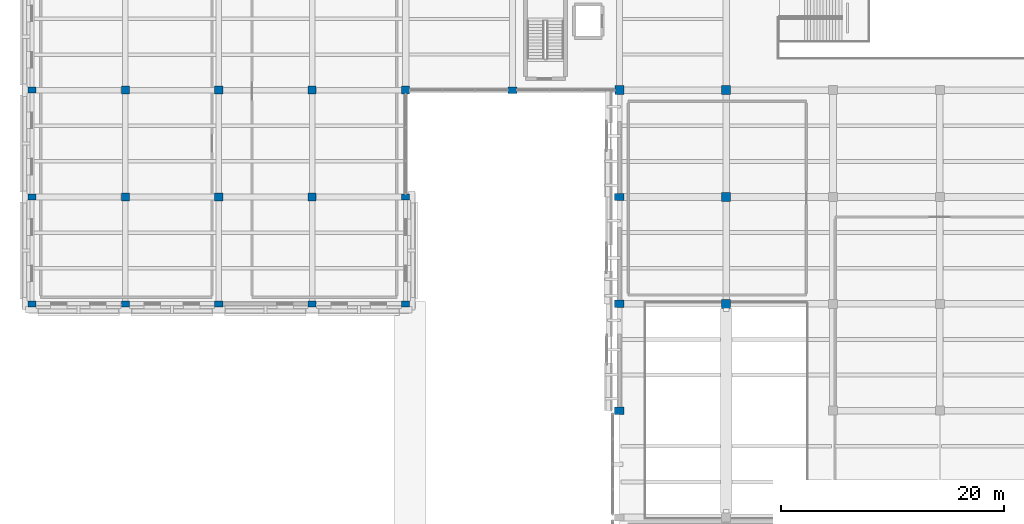
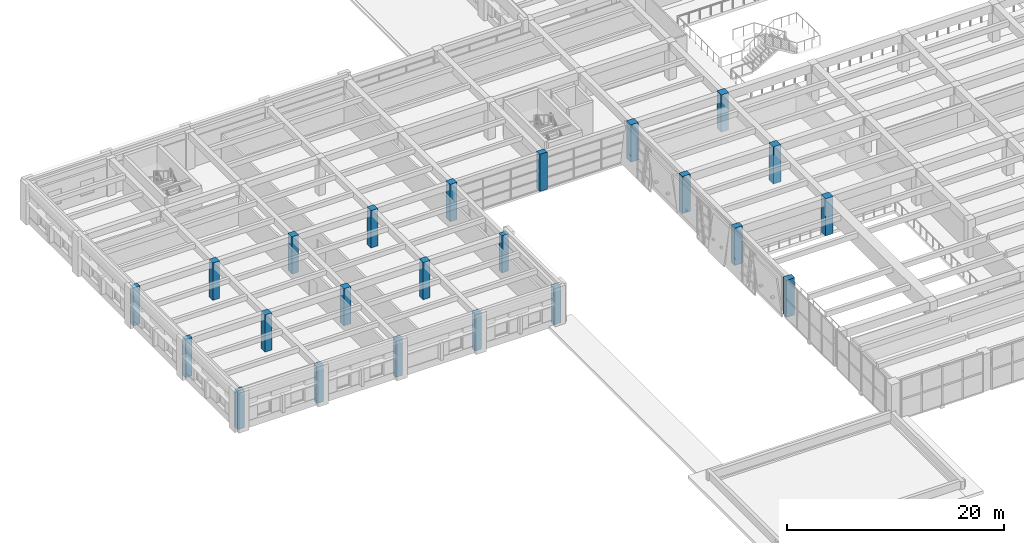
# One storey, part 2 of 49: 23 columns.
"""IFC4 building model written with IfcOpenShell, lengths in metres."""

from ifc_helpers import new_model, si_unit, direction, frame, origin, origin_2d, place, context, subcontext, project, spatial, rectangle, extrude, material, material_profile, profile_set, type_object, element, save


model = new_model("IFC4")

# Units and contexts
model_context = context("Model", 3, precision=1e-05, world=origin(), true_north=direction((0.0, 1.0)))
body_context = subcontext(model_context, "Body", "Model", "MODEL_VIEW")
ifc_project = project(units=[si_unit("LENGTHUNIT", "METRE"), si_unit("AREAUNIT", "SQUARE_METRE"), si_unit("VOLUMEUNIT", "CUBIC_METRE"), si_unit("PLANEANGLEUNIT", "RADIAN"), si_unit("MASSUNIT", "GRAM", prefix="KILO")], contexts=[model_context])

# Site, building, storey
site_placement = place(None, origin())
site = spatial("IfcSite", under=ifc_project, at=site_placement, CompositionType="ELEMENT")
building_placement = place(site_placement, origin())
building = spatial("IfcBuilding", under=site, at=building_placement, Name="Bempovik Park Faculty of Sciences", CompositionType="ELEMENT")
storey_placement = place(building_placement, frame((0.0, 0.0, 5.39990234375)))
storey = spatial("IfcBuildingStorey", under=building, at=storey_placement, Name="L01", CompositionType="ELEMENT", Elevation=5.39990234375)

# Columns
ifc_material = material(Name="Concrete C40/50", Category="concrete")
ifc_material_profile_1 = material_profile(ifc_material, rectangle(XDim=0.719970703125, YDim=0.5400390625, at=origin_2d()), Name="RC 720x540")
ifc_profile_set_1 = profile_set([ifc_material_profile_1], Name="Concrete C40/50")
column_type_1 = type_object("IfcColumnType", Name="C-18 RC 720x540", PredefinedType="COLUMN", material=ifc_profile_set_1)
for number, where, z_axis, x_axis, name in (
    (1, (7.199951171875, 48.60009765625, 0.0), (0.0, 0.0, 1.0), (1.0, 0.0, 0.0), "L01 Structural Column (7.2,48.6)"),
    (2, (7.199951171875, 58.199951171875, 0.0), (0.0, 0.0, 1.0), (1.0, 0.0, 0.0), "L01 Structural Column (7.2,58.2)"),
    (3, (7.199951171875, 67.800048828125, 0.0), (0.0, 0.0, 1.0), (1.0, 0.0, 0.0), "L01 Structural Column (7.2,67.8)"),
):
    element("IfcColumn", number, at=place(storey_placement, frame(where, z_axis=z_axis, x_axis=x_axis)), inside=storey, type_object=column_type_1, Name=name, PredefinedType="COLUMN", context=body_context, shape_type="SweptSolid", body=[
        extrude(rectangle(XDim=0.719970703125, YDim=0.5400390625, at=origin_2d()), origin(), (0.0, 0.0, 1.0), 4.280029296875),
    ])
for number, where, z_axis, x_axis, name in (
    (4, (15.60009765625, 48.60009765625, 0.0), (0.0, 0.0, 1.0), (1.0, 0.0, 0.0), "L01 Structural Column (15.6,48.6)"),
    (5, (24.0, 48.60009765625, 0.0), (0.0, 0.0, 1.0), (1.0, 0.0, 0.0), "L01 Structural Column (24.0,48.6)"),
    (6, (32.39990234375, 48.60009765625, 0.0), (0.0, 0.0, 1.0), (1.0, 0.0, 0.0), "L01 Structural Column (32.4,48.6)"),
    (7, (40.800048828125, 48.60009765625, 0.0), (0.0, 0.0, 1.0), (1.0, 0.0, 0.0), "L01 Structural Column (40.8,48.6)"),
    (8, (40.800048828125, 58.199951171875, 0.0), (0.0, 0.0, 1.0), (1.0, 0.0, 0.0), "L01 Structural Column (40.8,58.2)"),
):
    element("IfcColumn", number, at=place(storey_placement, frame(where, z_axis=z_axis, x_axis=x_axis)), inside=storey, type_object=column_type_1, Name=name, PredefinedType="COLUMN", context=body_context, shape_type="SweptSolid", body=[
        extrude(rectangle(XDim=0.719970703125, YDim=0.5400390625, at=origin_2d()), origin(), (0.0, 0.0, 1.0), 4.18017578125),
    ])
ifc_material_profile_2 = material_profile(ifc_material, rectangle(XDim=0.719970703125, YDim=0.719970703125, at=origin_2d()), Name="RC 720x720")
ifc_profile_set_2 = profile_set([ifc_material_profile_2], Name="Concrete C40/50")
column_type_2 = type_object("IfcColumnType", Name="C-28 RC 720x720", PredefinedType="COLUMN", material=ifc_profile_set_2)
for number, where, z_axis, x_axis, name in (
    (9, (15.60009765625, 58.199951171875, 0.0), (0.0, 0.0, 1.0), (1.0, 0.0, 0.0), "L01 Structural Column (15.6,58.2)"),
    (10, (15.60009765625, 67.800048828125, 0.0), (0.0, 0.0, 1.0), (1.0, 0.0, 0.0), "L01 Structural Column (15.6,67.8)"),
    (11, (24.0, 58.199951171875, 0.0), (0.0, 0.0, 1.0), (1.0, 0.0, 0.0), "L01 Structural Column (24.0,58.2)"),
    (12, (24.0, 67.800048828125, 0.0), (0.0, 0.0, 1.0), (1.0, 0.0, 0.0), "L01 Structural Column (24.0,67.8)"),
    (13, (32.39990234375, 58.199951171875, 0.0), (0.0, 0.0, 1.0), (1.0, 0.0, 0.0), "L01 Structural Column (32.4,58.2)"),
    (14, (32.39990234375, 67.800048828125, 0.0), (0.0, 0.0, 1.0), (1.0, 0.0, 0.0), "L01 Structural Column (32.4,67.8)"),
    (15, (40.800048828125, 67.800048828125, 0.0), (0.0, 0.0, 1.0), (1.0, 0.0, 0.0), "L01 Structural Column (40.8,67.8)"),
):
    element("IfcColumn", number, at=place(storey_placement, frame(where, z_axis=z_axis, x_axis=x_axis)), inside=storey, type_object=column_type_2, Name=name, PredefinedType="COLUMN", context=body_context, shape_type="SweptSolid", body=[
        extrude(rectangle(XDim=0.719970703125, YDim=0.719970703125, at=origin_2d()), origin(), (0.0, 0.0, 1.0), 4.18017578125),
    ])
ifc_material_profile_3 = material_profile(ifc_material, rectangle(XDim=0.800048828125, YDim=0.800048828125, at=origin_2d()), Name="RC 800x800")
ifc_profile_set_3 = profile_set([ifc_material_profile_3], Name="Concrete C40/50")
column_type_3 = type_object("IfcColumnType", Name="C-33 RC 800x800", PredefinedType="COLUMN", material=ifc_profile_set_3)
for number, where, z_axis, x_axis, name in (
    (16, (60.0, 67.800048828125, 0.0), (0.0, 0.0, 1.0), (1.0, 0.0, 0.0), "L01 Structural Column (60.0,67.8)"),
    (17, (69.60009765625, 48.60009765625, 0.0), (0.0, 0.0, 1.0), (1.0, 0.0, 0.0), "L01 Structural Column (69.6,48.6)"),
    (18, (69.60009765625, 58.199951171875, 0.0), (0.0, 0.0, 1.0), (1.0, 0.0, 0.0), "L01 Structural Column (69.6,58.2)"),
    (19, (69.60009765625, 67.800048828125, 0.0), (0.0, 0.0, 1.0), (1.0, 0.0, 0.0), "L01 Structural Column (69.6,67.8)"),
):
    element("IfcColumn", number, at=place(storey_placement, frame(where, z_axis=z_axis, x_axis=x_axis)), inside=storey, type_object=column_type_3, Name=name, PredefinedType="COLUMN", context=body_context, shape_type="SweptSolid", body=[
        extrude(rectangle(XDim=0.800048828125, YDim=0.800048828125, at=origin_2d()), origin(), (0.0, 0.0, 1.0), 4.18017578125),
    ])
ifc_material_profile_4 = material_profile(ifc_material, rectangle(XDim=0.800048828125, YDim=0.60009765625, at=origin_2d()), Name="RC 800x600")
ifc_profile_set_4 = profile_set([ifc_material_profile_4], Name="Concrete C40/50")
column_type_4 = type_object("IfcColumnType", Name="C-55 RC 800x600", PredefinedType="COLUMN", material=ifc_profile_set_4)
column_placement = place(storey_placement, frame((50.39990234375, 67.800048828125, 0.0), z_axis=(0.0, 0.0, 1.0), x_axis=(1.0, 0.0, 0.0)))
element("IfcColumn", 20, at=column_placement, inside=storey, type_object=column_type_4, Name="L01 Structural Column (50.4,67.8)", PredefinedType="COLUMN", context=body_context, shape_type="SweptSolid", body=[
    extrude(rectangle(XDim=0.800048828125, YDim=0.60009765625, at=origin_2d()), origin(), (0.0, 0.0, 1.0), 4.18017578125),
])
ifc_material_profile_5 = material_profile(ifc_material, rectangle(XDim=0.85009765625, YDim=0.64990234375, at=origin_2d()), Name="RC 850x650")
ifc_profile_set_5 = profile_set([ifc_material_profile_5], Name="Concrete C40/50")
column_type_5 = type_object("IfcColumnType", Name="C-71 RC 850x650", PredefinedType="COLUMN", material=ifc_profile_set_5)
for number, where, z_axis, x_axis, name in (
    (21, (60.0, 39.0, 0.0), (0.0, 0.0, 1.0), (1.0, 0.0, 0.0), "L01 Structural Column (60.0,39.0)"),
    (22, (60.0, 48.60009765625, 0.0), (0.0, 0.0, 1.0), (1.0, 0.0, 0.0), "L01 Structural Column (60.0,48.6)"),
    (23, (60.0, 58.199951171875, 0.0), (0.0, 0.0, 1.0), (1.0, 0.0, 0.0), "L01 Structural Column (60.0,58.2)"),
):
    element("IfcColumn", number, at=place(storey_placement, frame(where, z_axis=z_axis, x_axis=x_axis)), inside=storey, type_object=column_type_5, Name=name, PredefinedType="COLUMN", context=body_context, shape_type="SweptSolid", body=[
        extrude(rectangle(XDim=0.85009765625, YDim=0.64990234375, at=origin_2d()), origin(), (0.0, 0.0, 1.0), 4.18017578125),
    ])

save(model, "model.ifc")
